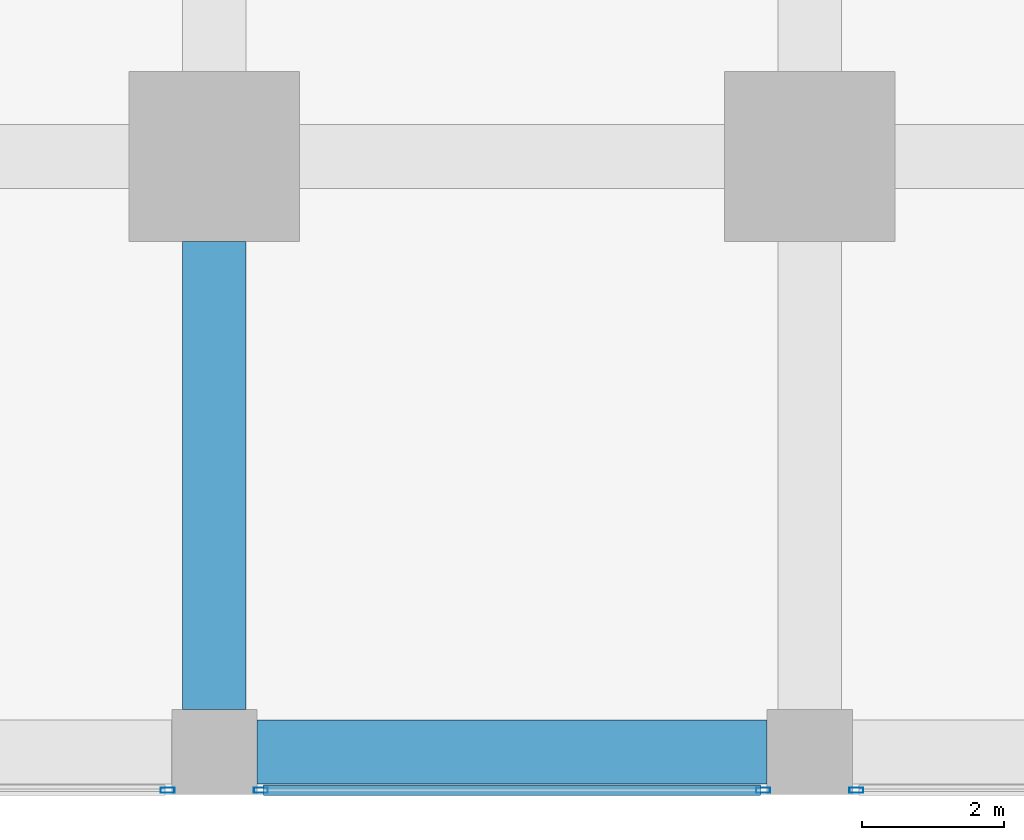
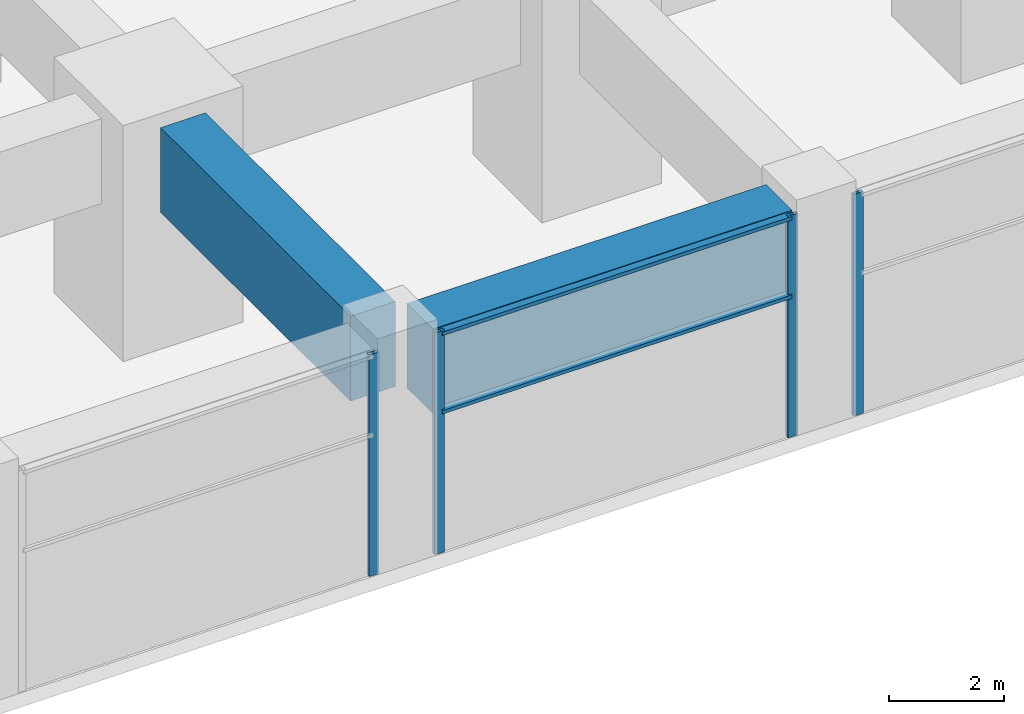
# One storey, part 13 of 49: 6 members, 2 beams, 3 elements without a shape of their own.
"""IFC4 building model written with IfcOpenShell, lengths in metres."""

from ifc_helpers import new_model, si_unit, direction, frame, origin, origin_2d, place, context, subcontext, project, spatial, rectangle, hollow_rectangle, extrude, material, material_profile, profile_set, type_object, element, aggregate, save


model = new_model("IFC4")

# Units and contexts
model_context = context("Model", 3, precision=1e-05, world=origin(), true_north=direction((0.0, 1.0)))
body_context = subcontext(model_context, "Body", "Model", "MODEL_VIEW")
ifc_project = project(units=[si_unit("LENGTHUNIT", "METRE"), si_unit("AREAUNIT", "SQUARE_METRE"), si_unit("VOLUMEUNIT", "CUBIC_METRE"), si_unit("PLANEANGLEUNIT", "RADIAN"), si_unit("MASSUNIT", "GRAM", prefix="KILO")], contexts=[model_context])

# Site, building, storey
site_placement = place(None, origin())
site = spatial("IfcSite", under=ifc_project, at=site_placement, CompositionType="ELEMENT")
building_placement = place(site_placement, origin())
building = spatial("IfcBuilding", under=site, at=building_placement, Name="Rekha Terrace Tower", CompositionType="ELEMENT")
storey_placement = place(building_placement, frame((0.0, 0.0, 10.39990234375)))
storey = spatial("IfcBuildingStorey", under=building, at=storey_placement, Name="L02", CompositionType="ELEMENT", Elevation=10.39990234375)

# Curtain wall, member
ifc_material_1 = material(Name="Aluminium framing", Category="aluminium")
curtain_wall_type = type_object("IfcCurtainWallType", Name="CW4 podium shopfront glazing", PredefinedType="USERDEFINED", material=ifc_material_1)
curtain_wall_1_placement = place(storey_placement, origin())
curtain_wall_1 = element("IfcCurtainWall", 1, at=curtain_wall_1_placement, inside=storey, type_object=curtain_wall_type, Name="CW4 shopfront curtain wall", ObjectType="SHOPFRONT CURTAIN WALL", PredefinedType="USERDEFINED")
ifc_material_2 = material(Name="Aluminium mullion section", Category="aluminium")
ifc_material_profile_1 = material_profile(ifc_material_2, hollow_rectangle(XDim=0.074951171875, YDim=0.199951171875, WallThickness=0.00390625, at=origin_2d()), Name="AL RHS 75x200")
ifc_profile_set_1 = profile_set([ifc_material_profile_1], Name="Aluminium mullion section")
member_type_1 = type_object("IfcMemberType", Name="CW4 mullion RHS 75 x 200", PredefinedType="MULLION", material=ifc_profile_set_1)
member_1_placement = place(storey_placement, frame((32.9423828125, -0.5400390625, 0.0), z_axis=(0.0, 0.0, 1.0), x_axis=(0.0, 1.0, 0.0)))
member_1 = element("IfcMember", 2, at=member_1_placement, type_object=member_type_1, Name="CW4 mullion 2", PredefinedType="MULLION", context=body_context, shape_type="SweptSolid", body=[
    extrude(hollow_rectangle(XDim=0.074951171875, YDim=0.199951171875, WallThickness=0.00390625, at=origin_2d()), origin(), (0.0, 0.0, 1.0), 4.7001953125),
])
aggregate(curtain_wall_1, [member_1])

# Curtain wall, members
curtain_wall_2_placement = place(storey_placement, origin())
curtain_wall_2 = element("IfcCurtainWall", 3, at=curtain_wall_2_placement, inside=storey, type_object=curtain_wall_type, Name="CW4 shopfront curtain wall", ObjectType="SHOPFRONT CURTAIN WALL", PredefinedType="USERDEFINED")
member_2_placement = place(storey_placement, frame((34.257568359375, -0.5400390625, 0.0), z_axis=(0.0, 0.0, 1.0), x_axis=(0.0, 1.0, 0.0)))
member_2 = element("IfcMember", 4, at=member_2_placement, type_object=member_type_1, Name="CW4 mullion 1", PredefinedType="MULLION", context=body_context, shape_type="SweptSolid", body=[
    extrude(hollow_rectangle(XDim=0.074951171875, YDim=0.199951171875, WallThickness=0.00390625, at=origin_2d()), origin(), (0.0, 0.0, 1.0), 4.7001953125),
])
member_3_placement = place(storey_placement, frame((41.342529296875, -0.5400390625, 0.0), z_axis=(0.0, 0.0, 1.0), x_axis=(0.0, 1.0, 0.0)))
member_3 = element("IfcMember", 5, at=member_3_placement, type_object=member_type_1, Name="CW4 mullion 2", PredefinedType="MULLION", context=body_context, shape_type="SweptSolid", body=[
    extrude(hollow_rectangle(XDim=0.074951171875, YDim=0.199951171875, WallThickness=0.00390625, at=origin_2d()), origin(), (0.0, 0.0, 1.0), 4.7001953125),
])

# Curtain wall, member
curtain_wall_3_placement = place(storey_placement, origin())
curtain_wall_3 = element("IfcCurtainWall", 6, at=curtain_wall_3_placement, inside=storey, type_object=curtain_wall_type, Name="CW4 shopfront curtain wall", ObjectType="SHOPFRONT CURTAIN WALL", PredefinedType="USERDEFINED")
member_4_placement = place(storey_placement, frame((42.657470703125, -0.5400390625, 0.0), z_axis=(0.0, 0.0, 1.0), x_axis=(0.0, 1.0, 0.0)))
member_4 = element("IfcMember", 7, at=member_4_placement, type_object=member_type_1, Name="CW4 mullion 1", PredefinedType="MULLION", context=body_context, shape_type="SweptSolid", body=[
    extrude(hollow_rectangle(XDim=0.074951171875, YDim=0.199951171875, WallThickness=0.00390625, at=origin_2d()), origin(), (0.0, 0.0, 1.0), 4.7001953125),
])
aggregate(curtain_wall_3, [member_4])

# Member
ifc_material_3 = material(Name="Aluminium transom section", Category="aluminium")
ifc_material_profile_2 = material_profile(ifc_material_3, hollow_rectangle(XDim=0.14990234375, YDim=0.074951171875, WallThickness=0.0029296875, at=origin_2d()), Name="AL RHS 150x75")
ifc_profile_set_2 = profile_set([ifc_material_profile_2], Name="Aluminium transom section")
member_type_2 = type_object("IfcMemberType", Name="CW4 transom RHS 75 x 150", PredefinedType="USERDEFINED", material=ifc_profile_set_2)
member_5_placement = place(storey_placement, frame((34.294921875, -0.5400390625, 3.0), z_axis=(1.0, 0.0, 0.0), x_axis=(0.0, 1.0, 0.0)))
member_5 = element("IfcMember", 8, at=member_5_placement, type_object=member_type_2, Name="CW4 transom 1.2", ObjectType="TRANSOM", PredefinedType="USERDEFINED", context=body_context, shape_type="SweptSolid", body=[
    extrude(hollow_rectangle(XDim=0.14990234375, YDim=0.074951171875, WallThickness=0.0029296875, at=origin_2d()), origin(), (0.0, 0.0, 1.0), 7.010009765625),
])

member_6_placement = place(storey_placement, frame((34.294921875, -0.5400390625, 4.66259765625), z_axis=(1.0, 0.0, 0.0), x_axis=(0.0, 1.0, 0.0)))
member_6 = element("IfcMember", 9, at=member_6_placement, type_object=member_type_2, Name="CW4 transom 1.3", ObjectType="TRANSOM", PredefinedType="USERDEFINED", context=body_context, shape_type="SweptSolid", body=[
    extrude(hollow_rectangle(XDim=0.14990234375, YDim=0.074951171875, WallThickness=0.0029296875, at=origin_2d()), origin(), (0.0, 0.0, 1.0), 7.010009765625),
])

aggregate(curtain_wall_2, [member_2, member_3, member_5, member_6])

# Beams
ifc_material_4 = material(Name="Concrete M60", Category="concrete")
ifc_material_profile_3 = material_profile(ifc_material_4, rectangle(XDim=0.89990234375, YDim=1.800048828125, at=origin_2d()), Name="RC 900x1800")
ifc_profile_set_3 = profile_set([ifc_material_profile_3], Name="Concrete M60")
beam_type = type_object("IfcBeamType", Name="G1 900x1800 podium floor beam", PredefinedType="BEAM", material=ifc_profile_set_3)
beam_1_placement = place(storey_placement, frame((34.199951171875, 0.0, 3.800048828125), z_axis=(1.0, 0.0, 0.0), x_axis=(0.0, 1.0, 0.0)))
element("IfcBeam", 10, at=beam_1_placement, inside=storey, type_object=beam_type, Name="Beam G1 5A-6A under L03", PredefinedType="BEAM", context=body_context, shape_type="SweptSolid", body=[
    extrude(rectangle(XDim=0.89990234375, YDim=1.800048828125, at=origin_2d()), origin(), (0.0, 0.0, 1.0), 7.199951171875),
])
beam_2_placement = place(storey_placement, frame((33.60009765625, 0.60009765625, 3.800048828125), z_axis=(0.0, 1.0, 0.0), x_axis=(-1.0, 0.0, 0.0)))
element("IfcBeam", 11, at=beam_2_placement, inside=storey, type_object=beam_type, Name="Beam G1 5A-5B under L03", PredefinedType="BEAM", context=body_context, shape_type="SweptSolid", body=[
    extrude(rectangle(XDim=0.89990234375, YDim=1.800048828125, at=origin_2d()), origin(), (0.0, 0.0, 1.0), 6.599853515625),
])

save(model, "model.ifc")
